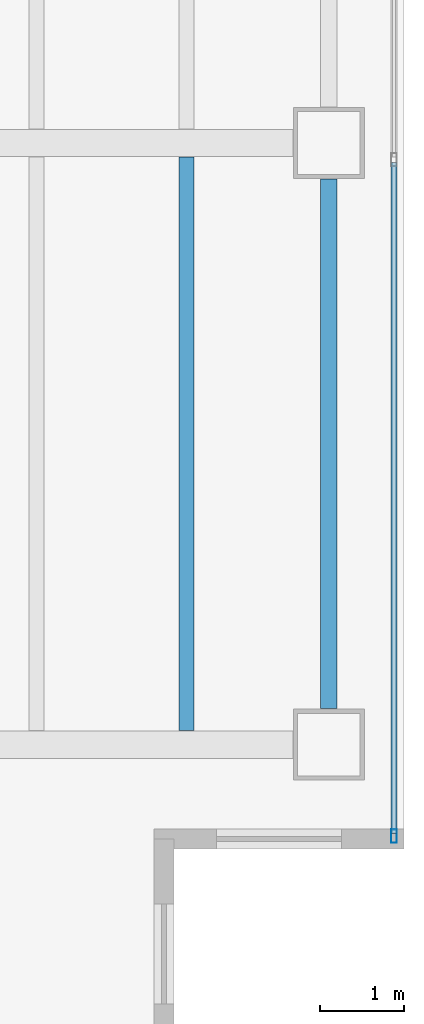
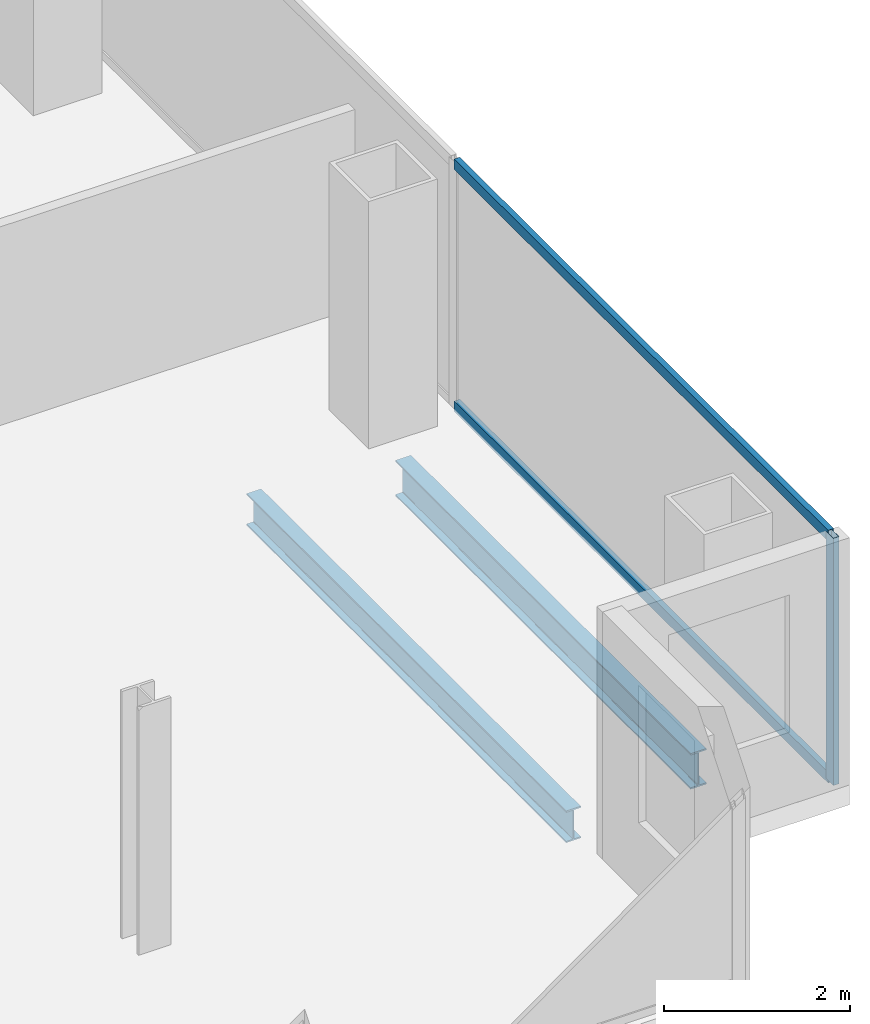
# One storey, part 12 of 23: 3 members, 2 beams, 1 element without a shape of its own.
"""IFC4 building model written with IfcOpenShell, lengths in metres."""

from ifc_helpers import new_model, si_unit, direction, frame, origin, origin_2d, place, context, subcontext, project, spatial, hollow_rectangle, i_section, extrude, material, material_profile, profile_set, type_object, element, aggregate, save


model = new_model("IFC4")

# Units and contexts
model_context = context("Model", 3, precision=1e-05, world=origin(), true_north=direction((0.0, 1.0)))
body_context = subcontext(model_context, "Body", "Model", "MODEL_VIEW")
ifc_project = project(units=[si_unit("LENGTHUNIT", "METRE"), si_unit("AREAUNIT", "SQUARE_METRE"), si_unit("VOLUMEUNIT", "CUBIC_METRE"), si_unit("PLANEANGLEUNIT", "RADIAN"), si_unit("MASSUNIT", "GRAM", prefix="KILO")], contexts=[model_context])

# Site, building, storey
site_placement = place(None, origin())
site = spatial("IfcSite", under=ifc_project, at=site_placement, CompositionType="ELEMENT")
building_placement = place(site_placement, origin())
building = spatial("IfcBuilding", under=site, at=building_placement, Name="Cobrela Telecom Tower", CompositionType="ELEMENT")
storey_placement = place(building_placement, frame((0.0, 0.0, 183.75)))
storey = spatial("IfcBuildingStorey", under=building, at=storey_placement, Name="L46", CompositionType="ELEMENT", Elevation=183.75)

# Beams
ifc_material_1 = material(Name="Steel ASTM A992 Grade 50", Category="steel")
ifc_material_profile_1 = material_profile(ifc_material_1, i_section(OverallWidth=0.179931640625, OverallDepth=0.4169921875, WebThickness=0.010986328125, FlangeThickness=0.01806640625, FilletRadius=0.011962890625, at=origin_2d()), Name="W16X57")
ifc_profile_set_1 = profile_set([ifc_material_profile_1], Name="Steel ASTM A992 Grade 50")
beam_type_1 = type_object("IfcBeamType", Name="BM-JOIST-04", PredefinedType="JOIST", material=ifc_profile_set_1)
beam_1_placement = place(storey_placement, frame((41.39990234375, 7.368896484375, -0.468505859375), z_axis=(0.0, 1.0, 0.0), x_axis=(-1.0, 0.0, 0.0)))
element("IfcBeam", 1, at=beam_1_placement, inside=storey, type_object=beam_type_1, Name="L46 Secondary Composite Floor Beam J29", PredefinedType="JOIST", context=body_context, shape_type="SweptSolid", body=[
    extrude(i_section(OverallWidth=0.179931640625, OverallDepth=0.4169921875, WebThickness=0.010986328125, FlangeThickness=0.01806640625, FilletRadius=0.011962890625, at=origin_2d()), origin(), (0.0, 0.0, 1.0), 6.862060546875),
])
ifc_material_profile_2 = material_profile(ifc_material_1, i_section(OverallWidth=0.193115234375, OverallDepth=0.467041015625, WebThickness=0.011474609375, FlangeThickness=0.01904296875, FilletRadius=0.012939453125, at=origin_2d()), Name="W18X65")
ifc_profile_set_2 = profile_set([ifc_material_profile_2], Name="Steel ASTM A992 Grade 50")
beam_type_2 = type_object("IfcBeamType", Name="BM-SPAND-05", PredefinedType="SPANDREL", material=ifc_profile_set_2)
beam_2_placement = place(storey_placement, frame((43.10009765625, 7.6298828125, -0.493408203125), z_axis=(0.0, 1.0, 0.0), x_axis=(-1.0, 0.0, 0.0)))
element("IfcBeam", 2, at=beam_2_placement, inside=storey, type_object=beam_type_2, Name="L46 Perimeter Spandrel Y42", PredefinedType="SPANDREL", context=body_context, shape_type="SweptSolid", body=[
    extrude(i_section(OverallWidth=0.193115234375, OverallDepth=0.467041015625, WebThickness=0.011474609375, FlangeThickness=0.01904296875, FilletRadius=0.012939453125, at=origin_2d()), origin(), (0.0, 0.0, 1.0), 6.340087890625),
])

# Curtain wall, members
ifc_material_2 = material(Name="Anodized Bronze Aluminium 6063-T6", Category="aluminium")
curtain_wall_type = type_object("IfcCurtainWallType", Name="CW-SYS-OFF-LO", PredefinedType="USERDEFINED", material=ifc_material_2)
curtain_wall_placement = place(storey_placement, origin())
curtain_wall = element("IfcCurtainWall", 3, at=curtain_wall_placement, inside=storey, type_object=curtain_wall_type, Name="L46 Unitised Bronze Curtain Wall 14", ObjectType="UNITISED CURTAIN WALL", PredefinedType="USERDEFINED")
ifc_material_profile_3 = material_profile(ifc_material_2, hollow_rectangle(XDim=0.070068359375, YDim=0.159912109375, WallThickness=0.00390625, at=origin_2d()), Name="ALU 70x160x4")
ifc_profile_set_3 = profile_set([ifc_material_profile_3], Name="Anodized Bronze Aluminium 6063-T6")
member_type_1 = type_object("IfcMemberType", Name="CW-SYS-OFF-LO-MUL", PredefinedType="MULLION", material=ifc_profile_set_3)
member_1_placement = place(storey_placement, frame((43.8798828125, 6.10498046875, 0.0), z_axis=(0.0, 0.0, 1.0), x_axis=(1.0, 0.0, 0.0)))
member_1 = element("IfcMember", 4, at=member_1_placement, type_object=member_type_1, Name="CW-OFF-LO mullion 3", PredefinedType="MULLION", context=body_context, shape_type="SweptSolid", body=[
    extrude(hollow_rectangle(XDim=0.070068359375, YDim=0.159912109375, WallThickness=0.00390625, at=origin_2d()), origin(), (0.0, 0.0, 1.0), 3.239990234375),
])
ifc_material_profile_4 = material_profile(ifc_material_2, hollow_rectangle(XDim=0.070068359375, YDim=0.139892578125, WallThickness=0.00390625, at=origin_2d()), Name="ALU 70x140x4")
ifc_profile_set_4 = profile_set([ifc_material_profile_4], Name="Anodized Bronze Aluminium 6063-T6")
member_type_2 = type_object("IfcMemberType", Name="CW-SYS-OFF-LO-TRN", PredefinedType="USERDEFINED", material=ifc_profile_set_4)
member_2_placement = place(storey_placement, frame((43.8798828125, 14.1650390625, 0.034912109375), z_axis=(0.0, -1.0, 0.0), x_axis=(1.0, 0.0, 0.0)))
member_2 = element("IfcMember", 5, at=member_2_placement, type_object=member_type_2, Name="CW-OFF-LO transom 2.1", ObjectType="TRANSOM", PredefinedType="USERDEFINED", context=body_context, shape_type="SweptSolid", body=[
    extrude(hollow_rectangle(XDim=0.070068359375, YDim=0.139892578125, WallThickness=0.00390625, at=origin_2d()), origin(), (0.0, 0.0, 1.0), 8.025146484375),
])
member_3_placement = place(storey_placement, frame((43.8798828125, 14.1650390625, 3.205078125), z_axis=(0.0, -1.0, 0.0), x_axis=(1.0, 0.0, 0.0)))
member_3 = element("IfcMember", 6, at=member_3_placement, type_object=member_type_2, Name="CW-OFF-LO transom 2.2", ObjectType="TRANSOM", PredefinedType="USERDEFINED", context=body_context, shape_type="SweptSolid", body=[
    extrude(hollow_rectangle(XDim=0.070068359375, YDim=0.139892578125, WallThickness=0.00390625, at=origin_2d()), origin(), (0.0, 0.0, 1.0), 8.025146484375),
])
aggregate(curtain_wall, [member_1, member_2, member_3])

save(model, "model.ifc")
